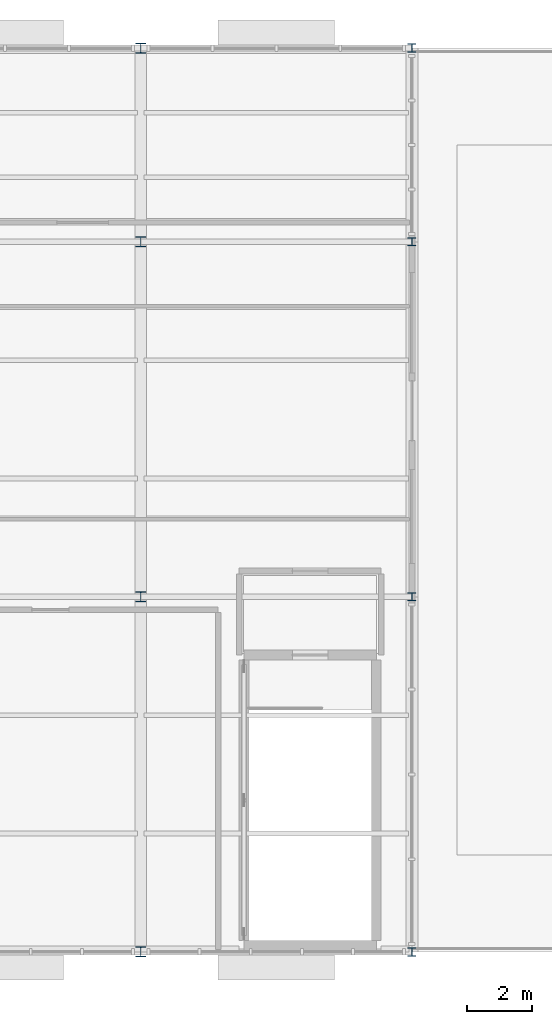
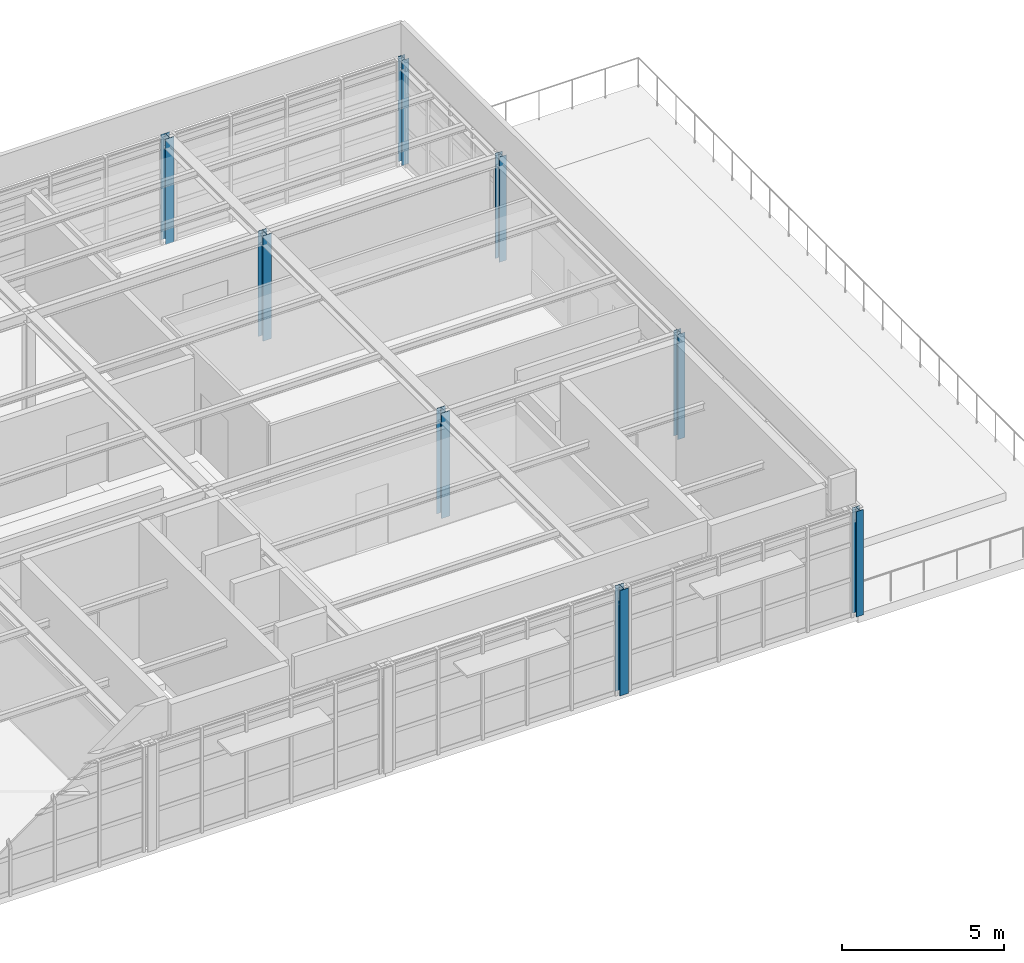
# One storey, part 3 of 18: 8 columns.
"""IFC4 building model written with IfcOpenShell, lengths in metres."""

from ifc_helpers import new_model, si_unit, direction, frame, origin, origin_2d, place, context, subcontext, project, spatial, i_section, extrude, material, material_profile, profile_set, type_object, element, save


model = new_model("IFC4")

# Units and contexts
model_context = context("Model", 3, precision=1e-05, world=origin(), true_north=direction((0.0, 1.0)))
body_context = subcontext(model_context, "Body", "Model", "MODEL_VIEW")
ifc_project = project(units=[si_unit("LENGTHUNIT", "METRE"), si_unit("AREAUNIT", "SQUARE_METRE"), si_unit("VOLUMEUNIT", "CUBIC_METRE"), si_unit("PLANEANGLEUNIT", "RADIAN"), si_unit("MASSUNIT", "GRAM", prefix="KILO")], contexts=[model_context])

# Site, building, storey
site_placement = place(None, origin())
site = spatial("IfcSite", under=ifc_project, at=site_placement, CompositionType="ELEMENT")
building_placement = place(site_placement, origin())
building = spatial("IfcBuilding", under=site, at=building_placement, Name="Sitalva Quay Ferry Terminal", CompositionType="ELEMENT")
storey_placement = place(building_placement, frame((0.0, 0.0, 18.60009765625)))
storey = spatial("IfcBuildingStorey", under=building, at=storey_placement, Name="L05", CompositionType="ELEMENT", Elevation=18.60009765625)

# Columns
ifc_material_1 = material(Name="Structural Steel S355JR", Category="steel")
ifc_material_profile_1 = material_profile(ifc_material_1, i_section(OverallWidth=0.25390625, OverallDepth=0.2529296875, WebThickness=0.008544921875, FlangeThickness=0.01416015625, FilletRadius=0.011962890625, at=origin_2d()), Name="W250x73")
ifc_profile_set_1 = profile_set([ifc_material_profile_1], Name="Structural Steel S355JR")
column_type_1 = type_object("IfcColumnType", Name="Col_W250x73", PredefinedType="COLUMN", material=ifc_profile_set_1)
for number, where, z_axis, x_axis, name in (
    (1, (117.60009765625, 78.0, 0.0), (0.0, 0.0, 1.0), (1.0, 0.0, 0.0), "L05 column 15J"),
    (2, (117.60009765625, 89.0, 0.0), (0.0, 0.0, 1.0), (1.0, 0.0, 0.0), "L05 column 15K"),
    (3, (117.60009765625, 100.0, 0.0), (0.0, 0.0, 1.0), (1.0, 0.0, 0.0), "L05 column 15L"),
    (4, (117.60009765625, 106.0, 0.0), (0.0, 0.0, 1.0), (1.0, 0.0, 0.0), "L05 column 15M"),
):
    element("IfcColumn", number, at=place(storey_placement, frame(where, z_axis=z_axis, x_axis=x_axis)), inside=storey, type_object=column_type_1, Name=name, PredefinedType="COLUMN", context=body_context, shape_type="SweptSolid", body=[
        extrude(i_section(OverallWidth=0.25390625, OverallDepth=0.2529296875, WebThickness=0.008544921875, FlangeThickness=0.01416015625, FilletRadius=0.011962890625, at=origin_2d()), origin(), (0.0, 0.0, 1.0), 3.9599609375),
    ])
ifc_material_2 = material(Name="Structural Steel S355JR", Category="steel")
ifc_material_profile_2 = material_profile(ifc_material_2, i_section(OverallWidth=0.305908203125, OverallDepth=0.31103515625, WebThickness=0.010986328125, FlangeThickness=0.01708984375, FilletRadius=0.014892578125, at=origin_2d()), Name="W310x107")
ifc_profile_set_2 = profile_set([ifc_material_profile_2], Name="Structural Steel S355JR")
column_type_2 = type_object("IfcColumnType", Name="Col_W310x107", PredefinedType="COLUMN", material=ifc_profile_set_2)
for number, where, z_axis, x_axis, name in (
    (5, (109.199951171875, 78.0, 0.0), (0.0, 0.0, 1.0), (1.0, 0.0, 0.0), "L05 column 14J"),
    (6, (109.199951171875, 89.0, 0.0), (0.0, 0.0, 1.0), (1.0, 0.0, 0.0), "L05 column 14K"),
    (7, (109.199951171875, 100.0, 0.0), (0.0, 0.0, 1.0), (1.0, 0.0, 0.0), "L05 column 14L"),
    (8, (109.199951171875, 106.0, 0.0), (0.0, 0.0, 1.0), (1.0, 0.0, 0.0), "L05 column 14M"),
):
    element("IfcColumn", number, at=place(storey_placement, frame(where, z_axis=z_axis, x_axis=x_axis)), inside=storey, type_object=column_type_2, Name=name, PredefinedType="COLUMN", context=body_context, shape_type="SweptSolid", body=[
        extrude(i_section(OverallWidth=0.305908203125, OverallDepth=0.31103515625, WebThickness=0.010986328125, FlangeThickness=0.01708984375, FilletRadius=0.014892578125, at=origin_2d()), origin(), (0.0, 0.0, 1.0), 3.9599609375),
    ])

save(model, "model.ifc")
